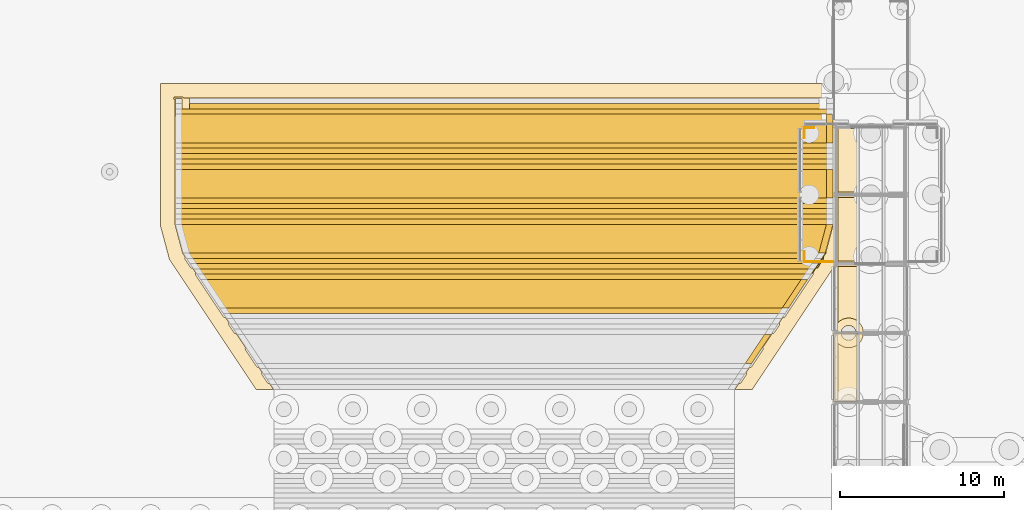
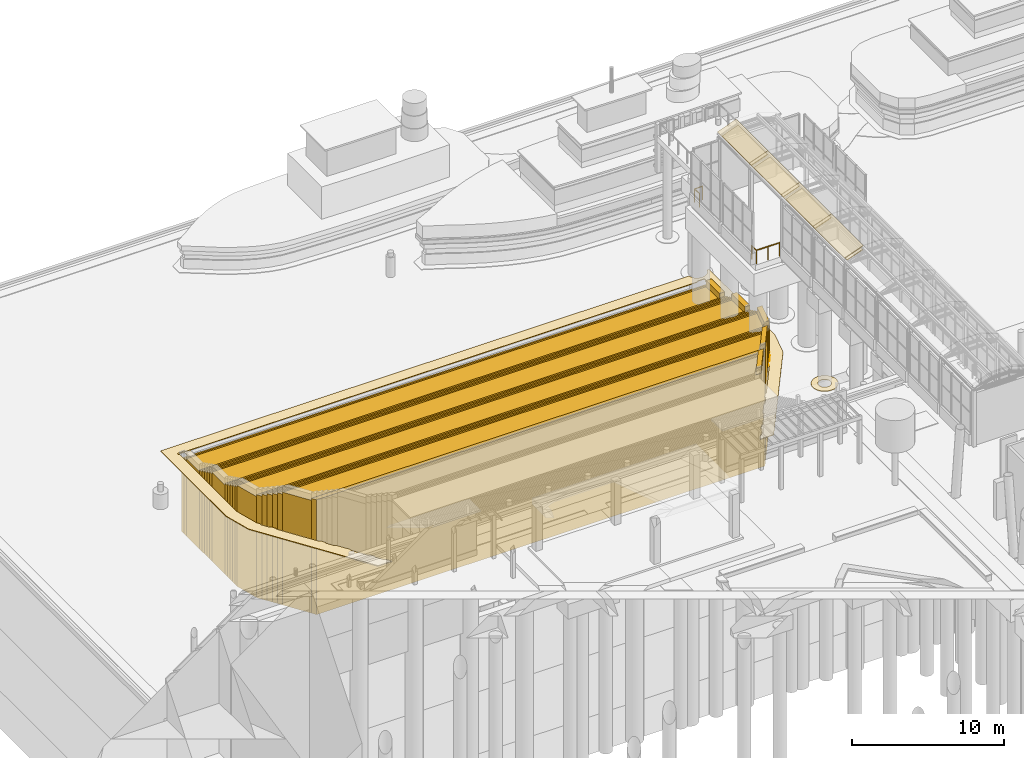
# One storey, part 181 of 222: 39 coverings, 4 railings.
"""IFC4 building model written with IfcOpenShell, lengths in metres."""

import ifcopenshell
import ifcopenshell.guid

model = None  # the IFC model being written
_history = None  # IfcOwnerHistory: only IFC2X3 demands one
_inside = {}  # id of a spatial element -> (the spatial element, [elements in it])
_under = {}  # id of a project, library or spatial element -> (it, [spatial elements below it])
_declared = {}  # id of a project -> (the project, [libraries it declares])
_typed = {}  # id of a type object -> (the type object, [elements of that type])
_made_of = {}  # id of a material, layer set ... -> (it, [elements and type objects made of it])


def new_model(schema):
    """Start an empty IFC model of exactly this schema.

    Asked for "IFC4X3", IfcOpenShell would pick the latest addendum, in which some entities
    have other attributes; the version numbers below select the first issue.
    IFC2X3 requires an IfcOwnerHistory on every rooted entity: one is made here for all.
    """
    global model, _history
    if schema == "IFC4X3":
        model = ifcopenshell.file(schema_version=(4, 3, 0, 0))
    else:
        model = ifcopenshell.file(schema=schema)
    _inside.clear()
    _under.clear()
    _declared.clear()
    _typed.clear()
    _made_of.clear()
    _history = None
    if model.schema == "IFC2X3":
        org = make("IfcOrganization", Name="unknown")
        user = make(
            "IfcPersonAndOrganization",
            ThePerson=make("IfcPerson", FamilyName="unknown"),
            TheOrganization=org,
        )
        app = make(
            "IfcApplication",
            ApplicationDeveloper=org,
            Version="unknown",
            ApplicationFullName="unknown",
            ApplicationIdentifier="unknown",
        )
        _history = make(
            "IfcOwnerHistory",
            OwningUser=user,
            OwningApplication=app,
            ChangeAction="ADDED",
            CreationDate=0,
        )
    return model


def make(cls, **values):
    """One entity of the class cls with the attributes given. An attribute that is None is left unset."""
    return model.create_entity(
        cls, **{name: value for name, value in values.items() if value is not None}
    )


def rooted(cls, **values):
    """An entity with a GlobalId (a new one), such as an element, a storey or a relation."""
    return make(cls, GlobalId=ifcopenshell.guid.new(), OwnerHistory=_history, **values)


def si_unit(unit_type, name, prefix=None):
    """IfcSIUnit, for example si_unit("LENGTHUNIT", "METRE", prefix="MILLI")."""
    return make("IfcSIUnit", UnitType=unit_type, Prefix=prefix, Name=name)


def assignment(units):
    """IfcUnitAssignment: the units of a project."""
    return None if units is None else make("IfcUnitAssignment", Units=units)


def point(xyz):
    """IfcCartesianPoint."""
    return None if xyz is None else make("IfcCartesianPoint", Coordinates=xyz)


def direction(xyz):
    """IfcDirection."""
    return None if xyz is None else make("IfcDirection", DirectionRatios=xyz)


def frame(location, z_axis=None, x_axis=None):
    """IfcAxis2Placement3D, a coordinate frame: its origin and axes. An axis left out is left unset."""
    return make(
        "IfcAxis2Placement3D",
        Location=point(location),
        Axis=direction(z_axis),
        RefDirection=direction(x_axis),
    )


def frame_2d(location, x_axis=None):
    """IfcAxis2Placement2D, a coordinate frame in the plane: its origin and x axis."""
    return make(
        "IfcAxis2Placement2D", Location=point(location), RefDirection=direction(x_axis)
    )


def origin():
    """The frame at (0, 0, 0) with its axes left unset."""
    return frame((0.0, 0.0, 0.0))


def origin_2d():
    """The frame at (0, 0) in the plane with its x axis left unset."""
    return frame_2d((0.0, 0.0))


def place(relative_to, where):
    """IfcLocalPlacement: puts the frame where relative to a parent placement (None: the world)."""
    return make(
        "IfcLocalPlacement", PlacementRelTo=relative_to, RelativePlacement=where
    )


def context(
    kind, dimensions, precision=None, world=None, true_north=None, identifier=None
):
    """IfcGeometricRepresentationContext, for example the 3D "Model" context."""
    return make(
        "IfcGeometricRepresentationContext",
        ContextIdentifier=identifier,
        ContextType=kind,
        CoordinateSpaceDimension=dimensions,
        Precision=precision,
        WorldCoordinateSystem=world,
        TrueNorth=true_north,
    )


def subcontext(parent, identifier, kind, view, scale=None):
    """IfcGeometricRepresentationSubContext, for example "Body" below "Model"."""
    return make(
        "IfcGeometricRepresentationSubContext",
        ContextIdentifier=identifier,
        ContextType=kind,
        ParentContext=parent,
        TargetScale=scale,
        TargetView=view,
    )


def project(units=None, contexts=None):
    """IfcProject with its units and contexts."""
    return rooted(
        "IfcProject",
        Name="project",
        RepresentationContexts=contexts,
        UnitsInContext=assignment(units),
    )


def spatial(cls, under=None, at=None, **own):
    """A site, building, storey or space (cls), placed at a placement, below another one or the project."""
    s = rooted(cls, ObjectPlacement=at, **own)
    if under is not None:
        _under.setdefault(under.id(), (under, []))[1].append(s)
    return s


def polyline(points):
    """IfcPolyline through the points."""
    return make("IfcPolyline", Points=[point(p) for p in points])


def profile(cls, at=None, kind="AREA", **sizes):
    """A parametric profile (cls). Its sizes go by their IFC names, for example OverallWidth=200.0."""
    return make(cls, ProfileType=kind, Position=at, **sizes)


def circle(**sizes):
    """IfcCircleProfileDef."""
    return profile("IfcCircleProfileDef", **sizes)


def outline(outer, holes=None, kind="AREA"):
    """IfcArbitraryClosedProfileDef: a profile drawn as a closed curve; with holes, ...WithVoids."""
    if holes is None:
        return make("IfcArbitraryClosedProfileDef", ProfileType=kind, OuterCurve=outer)
    return make(
        "IfcArbitraryProfileDefWithVoids",
        ProfileType=kind,
        OuterCurve=outer,
        InnerCurves=holes,
    )


def extrude(swept, where, along, depth):
    """IfcExtrudedAreaSolid: the profile swept, set in the frame where, extruded along a direction by depth."""
    return make(
        "IfcExtrudedAreaSolid",
        SweptArea=swept,
        Position=where,
        ExtrudedDirection=direction(along),
        Depth=depth,
    )


def shape(context_of_items, identifier, shape_type, items):
    """IfcShapeRepresentation: the items that make up one representation, for example the "Body"."""
    return make(
        "IfcShapeRepresentation",
        ContextOfItems=context_of_items,
        RepresentationIdentifier=identifier,
        RepresentationType=shape_type,
        Items=items,
    )


def material(Name=None, Category=None):
    """IfcMaterial."""
    return make("IfcMaterial", Name=Name, Category=Category)


def layer(
    of_material, thickness, ventilated=None, Name=None, Category=None, Priority=None
):
    """IfcMaterialLayer: one layer of a wall or slab, of a material (None: an air gap)."""
    return make(
        "IfcMaterialLayer",
        Material=of_material,
        LayerThickness=thickness,
        IsVentilated=ventilated,
        Name=Name,
        Category=Category,
        Priority=Priority,
    )


def layer_set(layers, Name=None):
    """IfcMaterialLayerSet."""
    return make("IfcMaterialLayerSet", MaterialLayers=layers, LayerSetName=Name)


def made_of(thing, what):
    """Note that an element or type object is made of a material, layer set ...; save() writes the relation."""
    if what is not None:
        _made_of.setdefault(what.id(), (what, []))[1].append(thing)
    return thing


def type_object(cls, material=None, **own):
    """A type object (cls), such as IfcWallType, which elements share."""
    return made_of(rooted(cls, **own), material)


def element(
    cls,
    number,
    at=None,
    inside=None,
    cuts=None,
    type_object=None,
    material=None,
    context=None,
    identifier="Body",
    shape_type=None,
    held_by="IfcProductDefinitionShape",
    body=None,
    shapes=None,
    **own,
):
    """One element of the class cls, such as IfcWall. Its Tag is "e" and its number.

    at: its placement. inside: the storey or other place that contains it. cuts: it is an
    opening in that element (IfcRelVoidsElement). A single representation is given by context,
    identifier, shape_type and body (its items); several are given by shapes. held_by: the class
    of the entity that holds the representations. save() writes the other relations.
    """
    e = rooted(cls, Tag="e%d" % number, ObjectPlacement=at, **own)
    if body is not None:
        shapes = [shape(context, identifier, shape_type, body)]
    if shapes is not None:
        e.Representation = make(held_by, Representations=shapes)
    if inside is not None:
        _inside.setdefault(inside.id(), (inside, []))[1].append(e)
    if cuts is not None:
        rooted(
            "IfcRelVoidsElement", RelatingBuildingElement=cuts, RelatedOpeningElement=e
        )
    if type_object is not None:
        _typed.setdefault(type_object.id(), (type_object, []))[1].append(e)
    return made_of(e, material)


def aggregate(whole, parts):
    """IfcRelAggregates: a whole, such as a stair, and the parts it consists of."""
    return rooted("IfcRelAggregates", RelatingObject=whole, RelatedObjects=parts)


def save(model, path):
    """Write the relations noted so far, then the file.

    IfcRelAggregates (storeys below a building ...), IfcRelContainedInSpatialStructure (elements
    in a storey), IfcRelDefinesByType, IfcRelAssociatesMaterial and IfcRelDeclares: one each for
    every whole, place, type object, material and project.
    """
    for whole, parts in _under.values():
        aggregate(whole, parts)
    for where, things in _inside.values():
        rooted(
            "IfcRelContainedInSpatialStructure",
            RelatedElements=things,
            RelatingStructure=where,
        )
    for kind, things in _typed.values():
        rooted("IfcRelDefinesByType", RelatedObjects=things, RelatingType=kind)
    for what, things in _made_of.values():
        rooted("IfcRelAssociatesMaterial", RelatedObjects=things, RelatingMaterial=what)
    for by, libraries in _declared.values():
        rooted("IfcRelDeclares", RelatingContext=by, RelatedDefinitions=libraries)
    model.write(path)


model = new_model("IFC4")

# Units and contexts
model_context = context("Model", 3, precision=1e-05, world=origin(), true_north=direction((0.0, 1.0)))
body_context = subcontext(model_context, "Body", "Model", "MODEL_VIEW")
ifc_project = project(units=[si_unit("LENGTHUNIT", "METRE"), si_unit("AREAUNIT", "SQUARE_METRE"), si_unit("VOLUMEUNIT", "CUBIC_METRE"), si_unit("PLANEANGLEUNIT", "RADIAN"), si_unit("MASSUNIT", "GRAM", prefix="KILO")], contexts=[model_context])

# Site, building, storey
site_placement = place(None, origin())
site = spatial("IfcSite", under=ifc_project, at=site_placement, CompositionType="ELEMENT")
building_placement = place(site_placement, origin())
building = spatial("IfcBuilding", under=site, at=building_placement, Name="Sava Quay Ferry Terminal", CompositionType="ELEMENT")
storey_placement = place(building_placement, origin())
storey = spatial("IfcBuildingStorey", under=building, at=storey_placement, Name="L00", CompositionType="ELEMENT", Elevation=0.0)

# Railings
ifc_material_1 = material(Name="Steel S355", Category="steel")
railing_type = type_object("IfcRailingType", Name="Edge guard 1100", PredefinedType="GUARDRAIL", material=ifc_material_1)
railing_1_placement = place(storey_placement, frame((44.25, 134.52001953125, 0.0)))
element("IfcRailing", 1, at=railing_1_placement, inside=storey, type_object=railing_type, Name="Berth head south guard west", PredefinedType="GUARDRAIL", context=body_context, shape_type="SweptSolid", body=[
    extrude(circle(Radius=0.02392578125, at=origin_2d()), frame((0.0, 0.0, 1.076171875), z_axis=(1.0, 0.0, 0.0), x_axis=(0.0, 1.0, 0.0)), (0.0, 0.0, 1.0), 1.75),
    extrude(circle(Radius=0.02099609375, at=origin_2d()), origin(), (0.0, 0.0, 1.0), 1.052001953125),
    extrude(circle(Radius=0.02099609375, at=origin_2d()), frame((0.875, 0.0, 0.0)), (0.0, 0.0, 1.0), 1.052001953125),
    extrude(circle(Radius=0.02099609375, at=origin_2d()), frame((1.75, 0.0, 0.0)), (0.0, 0.0, 1.0), 1.052001953125),
])
for number, where, name in (
    (2, (44.25, 134.52001953125, 0.0), "Berth head south-west corner guard"),
    (3, (44.25, 142.050048828125, 0.0), "Berth head north-west corner guard"),
):
    element("IfcRailing", number, at=place(storey_placement, frame(where)), inside=storey, type_object=railing_type, Name=name, PredefinedType="GUARDRAIL", context=body_context, shape_type="SweptSolid", body=[
        extrude(circle(Radius=0.02392578125, at=origin_2d()), frame((0.0, 0.0, 1.076171875), z_axis=(0.0, 1.0, 0.0), x_axis=(-1.0, 0.0, 0.0)), (0.0, 0.0, 1.0), 0.6298828125),
        extrude(circle(Radius=0.02099609375, at=origin_2d()), origin(), (0.0, 0.0, 1.0), 1.052001953125),
        extrude(circle(Radius=0.02099609375, at=origin_2d()), frame((0.0, 0.6298828125, 0.0)), (0.0, 0.0, 1.0), 1.052001953125),
    ])
railing_2_placement = place(storey_placement, frame((44.25, 142.679931640625, 0.0)))
element("IfcRailing", 4, at=railing_2_placement, inside=storey, type_object=railing_type, Name="Berth head north-west corner guard", PredefinedType="GUARDRAIL", context=body_context, shape_type="SweptSolid", body=[
    extrude(circle(Radius=0.02392578125, at=origin_2d()), frame((0.0, 0.0, 1.076171875), z_axis=(1.0, 0.0, 0.0), x_axis=(0.0, 1.0, 0.0)), (0.0, 0.0, 1.0), 0.60009765625),
    extrude(circle(Radius=0.02099609375, at=origin_2d()), origin(), (0.0, 0.0, 1.0), 1.052001953125),
    extrude(circle(Radius=0.02099609375, at=origin_2d()), frame((0.60009765625, 0.0, 0.0)), (0.0, 0.0, 1.0), 1.052001953125),
])

# Coverings
ifc_material_2 = material(Name="Glulam GL28h", Category="wood")
ifc_layer_1 = layer(ifc_material_2, 0.06005859375)
ifc_layer_set_1 = layer_set([ifc_layer_1], Name="Glulam GL28h")
covering_type_1 = type_object("IfcCoveringType", Name="Glulam soffit lining 60", PredefinedType="CEILING", material=ifc_layer_set_1)
covering_1_placement = place(storey_placement, frame((46.317138671875, 126.159912109375, 4.645751953125), z_axis=(-0.341968236193, 0.0, 0.939711511814), x_axis=(0.939711511814, 0.0, 0.341968236193)))
element("IfcCovering", 5, at=covering_1_placement, inside=storey, type_object=covering_type_1, Name="Boarding gallery B1 timber soffit lining bay 5 facet 1", PredefinedType="CEILING", context=body_context, shape_type="SweptSolid", body=[
    extrude(outline(polyline([(0.0, 0.0), (1.305773916594794, 0.0), (1.305773916594794, 3.880126953125), (0.0, 3.880126953125), (0.0, 0.0)])), origin(), (0.0, 0.0, -1.0), 0.06005859375),
])
for number, where, z_axis, x_axis, name in (
    (6, (46.317138671875, 130.360107421875, 4.645751953125), (-0.341968236193, 0.0, 0.939711511814), (0.939711511814, 0.0, 0.341968236193), "Boarding gallery B1 timber soffit lining bay 6 facet 1"),
    (7, (46.317138671875, 134.56005859375, 4.645751953125), (-0.341968236193, 0.0, 0.939711511814), (0.939711511814, 0.0, 0.341968236193), "Boarding gallery B1 timber soffit lining bay 7 facet 1"),
    (8, (46.317138671875, 138.760009765625, 4.645751953125), (-0.341968236193, 0.0, 0.939711511814), (0.939711511814, 0.0, 0.341968236193), "Boarding gallery B1 timber soffit lining bay 8 facet 1"),
):
    element("IfcCovering", number, at=place(storey_placement, frame(where, z_axis=z_axis, x_axis=x_axis)), inside=storey, type_object=covering_type_1, Name=name, PredefinedType="CEILING", context=body_context, shape_type="SweptSolid", body=[
        extrude(outline(polyline([(0.0, 0.0), (1.305773916594794, 0.0), (1.305773916594794, 3.8798828125), (0.0, 3.8798828125), (0.0, 0.0)])), origin(), (0.0, 0.0, -1.0), 0.06005859375),
    ])
ifc_material_3 = material(Name="Water")
ifc_layer_2 = layer(ifc_material_3, 0.0400390625)
ifc_layer_set_2 = layer_set([ifc_layer_2], Name="Water")
covering_type_2 = type_object("IfcCoveringType", Name="River foam collar", PredefinedType="CLADDING", material=ifc_layer_set_2)
covering_2_placement = place(storey_placement, frame((0.0, 0.0, -8.0)))
element("IfcCovering", 9, at=covering_2_placement, inside=storey, type_object=covering_type_2, Name="River foam collar", PredefinedType="CLADDING", context=body_context, shape_type="SweptSolid", body=[
    extrude(outline(polyline([(46.199951171875, 129.698974609375), (46.31201171875, 129.56201171875), (46.448974609375, 129.449951171875), (46.60498046875, 129.365966796875), (46.77392578125, 129.31494140625), (46.949951171875, 129.298095703125), (47.1259765625, 129.31494140625), (47.294921875, 129.365966796875), (47.450927734375, 129.449951171875), (47.587890625, 129.56201171875), (47.699951171875, 129.698974609375), (47.783935546875, 129.85498046875), (47.8349609375, 130.02392578125), (47.85205078125, 130.199951171875), (47.8349609375, 130.3759765625), (47.783935546875, 130.544921875), (47.699951171875, 130.700927734375), (47.587890625, 130.837890625), (47.450927734375, 130.949951171875), (47.294921875, 131.033935546875), (47.1259765625, 131.0849609375), (46.949951171875, 131.10205078125), (46.77392578125, 131.0849609375), (46.60498046875, 131.033935546875), (46.448974609375, 130.949951171875), (46.31201171875, 130.837890625), (46.199951171875, 130.700927734375), (46.115966796875, 130.544921875), (46.06494140625, 130.3759765625), (46.048095703125, 130.199951171875), (46.06494140625, 130.02392578125), (46.115966796875, 129.85498046875), (46.199951171875, 129.698974609375)]), holes=[polyline([(46.575927734375, 130.449951171875), (46.632080078125, 130.51806640625), (46.699951171875, 130.573974609375), (46.778076171875, 130.615966796875), (46.862060546875, 130.64111328125), (46.949951171875, 130.64990234375), (47.0380859375, 130.64111328125), (47.1220703125, 130.615966796875), (47.199951171875, 130.573974609375), (47.26806640625, 130.51806640625), (47.323974609375, 130.449951171875), (47.365966796875, 130.3720703125), (47.39111328125, 130.2880859375), (47.39990234375, 130.199951171875), (47.39111328125, 130.112060546875), (47.365966796875, 130.028076171875), (47.323974609375, 129.949951171875), (47.26806640625, 129.882080078125), (47.199951171875, 129.825927734375), (47.1220703125, 129.783935546875), (47.0380859375, 129.759033203125), (46.949951171875, 129.75), (46.862060546875, 129.759033203125), (46.778076171875, 129.783935546875), (46.699951171875, 129.825927734375), (46.632080078125, 129.882080078125), (46.575927734375, 129.949951171875), (46.533935546875, 130.028076171875), (46.509033203125, 130.112060546875), (46.5, 130.199951171875), (46.509033203125, 130.2880859375), (46.533935546875, 130.3720703125), (46.575927734375, 130.449951171875)])]), origin(), (0.0, 0.0, 1.0), 0.0400390625),
])
covering_3_placement = place(storey_placement, frame((0.0, 0.0, -8.0)))
element("IfcCovering", 10, at=covering_3_placement, inside=storey, type_object=covering_type_2, Name="River foam collar", PredefinedType="CLADDING", context=body_context, shape_type="SweptSolid", body=[
    extrude(outline(polyline([(45.0380859375, 134.157958984375), (45.06298828125, 134.173095703125), (45.0830078125, 134.194091796875), (45.407958984375, 134.68310546875), (45.41796875, 134.7109375), (45.419921875, 134.739990234375), (45.412109375, 134.76806640625), (45.403076171875, 134.785888671875), (45.39111328125, 134.800048828125), (45.552001953125, 135.04296875), (45.568115234375, 135.10205078125), (45.556884765625, 135.138916015625), (45.532958984375, 135.050048828125), (44.708984375, 133.81298828125), (44.7548828125, 133.818115234375), (44.764892578125, 133.821044921875), (44.762939453125, 133.825927734375), (44.7509765625, 133.840087890625), (44.9619140625, 134.156982421875), (44.989990234375, 134.14990234375), (45.02001953125, 134.152099609375), (45.0380859375, 134.157958984375)])), origin(), (0.0, 0.0, 1.0), 0.0400390625),
])
covering_4_placement = place(storey_placement, frame((0.0, 0.0, -8.0)))
element("IfcCovering", 11, at=covering_4_placement, inside=storey, type_object=covering_type_2, Name="River foam collar", PredefinedType="CLADDING", context=body_context, shape_type="SweptSolid", body=[
    extrude(outline(polyline([(6.462890625, 144.537109375), (6.43798828125, 144.552001953125), (6.409912109375, 144.56005859375), (6.0, 144.56005859375), (5.970947265625, 144.555908203125), (5.944091796875, 144.54296875), (5.928955078125, 144.531005859375), (5.9169921875, 144.51611328125), (5.904052734375, 144.489013671875), (5.89990234375, 144.4599609375), (5.904052734375, 144.430908203125), (5.912109375, 144.4130859375), (5.923095703125, 144.39697265625), (5.944091796875, 144.376953125), (5.9619140625, 144.367919921875), (5.97998046875, 144.362060546875), (5.97998046875, 143.3701171875), (6.0, 143.3701171875), (6.0, 144.4599609375), (6.39990234375, 144.4599609375), (6.39990234375, 143.820068359375), (6.85009765625, 143.820068359375), (6.85009765625, 144.47998046875), (6.498046875, 144.47998046875), (6.491943359375, 144.498046875), (6.48291015625, 144.51611328125), (6.462890625, 144.537109375)])), origin(), (0.0, 0.0, 1.0), 0.0400390625),
])
ifc_material_4 = material(Name="Zinc standing seam sheet")
ifc_layer_3 = layer(ifc_material_4, 0.0400390625)
ifc_layer_set_3 = layer_set([ifc_layer_3], Name="Zinc standing seam sheet")
covering_type_3 = type_object("IfcCoveringType", Name="Standing seam roofing 40", PredefinedType="ROOFING", material=ifc_layer_set_3)
for number, where, z_axis, x_axis, name in (
    (12, (46.0361328125, 126.010009765625, 4.979736328125), (-0.342089424704, 0.0, 0.939667401534), (0.939667401534, 0.0, 0.342089424704), "Boarding gallery B1 roofing bay 5 facet 1"),
    (13, (46.0361328125, 130.2099609375, 4.979736328125), (-0.342089424704, 0.0, 0.939667401534), (0.939667401534, 0.0, 0.342089424704), "Boarding gallery B1 roofing bay 6 facet 1"),
):
    element("IfcCovering", number, at=place(storey_placement, frame(where, z_axis=z_axis, x_axis=x_axis)), inside=storey, type_object=covering_type_3, Name=name, PredefinedType="ROOFING", context=body_context, shape_type="SweptSolid", body=[
        extrude(outline(polyline([(0.0, 0.0), (1.5279778922638676, 0.0), (1.5279778922638676, 4.179931640625), (0.0, 4.179931640625), (0.0, 0.0)])), origin(), (0.0, 0.0, -1.0), 0.0400390625),
    ])
covering_5_placement = place(storey_placement, frame((46.0361328125, 134.409912109375, 4.979736328125), z_axis=(-0.342089424704, 0.0, 0.939667401534), x_axis=(0.939667401534, 0.0, 0.342089424704)))
element("IfcCovering", 14, at=covering_5_placement, inside=storey, type_object=covering_type_3, Name="Boarding gallery B1 roofing bay 7 facet 1", PredefinedType="ROOFING", context=body_context, shape_type="SweptSolid", body=[
    extrude(outline(polyline([(0.0, 0.0), (1.5279778922638676, 0.0), (1.5279778922638676, 4.18017578125), (0.0, 4.18017578125), (0.0, 0.0)])), origin(), (0.0, 0.0, -1.0), 0.0400390625),
])
covering_6_placement = place(storey_placement, frame((46.0361328125, 138.610107421875, 4.979736328125), z_axis=(-0.342089424704, 0.0, 0.939667401534), x_axis=(0.939667401534, 0.0, 0.342089424704)))
element("IfcCovering", 15, at=covering_6_placement, inside=storey, type_object=covering_type_3, Name="Boarding gallery B1 roofing bay 8 facet 1", PredefinedType="ROOFING", context=body_context, shape_type="SweptSolid", body=[
    extrude(outline(polyline([(0.0, 0.0), (1.5279778922638676, 0.0), (1.5279778922638676, 4.179931640625), (0.0, 4.179931640625), (0.0, 0.0)])), origin(), (0.0, 0.0, -1.0), 0.0400390625),
])
ifc_material_5 = material(Name="Limestone ashlar", Category="masonry")
ifc_layer_4 = layer(ifc_material_5, 0.39990234375)
ifc_layer_set_4 = layer_set([ifc_layer_4], Name="Limestone ashlar")
covering_type_4 = type_object("IfcCoveringType", Name="Wet stair cheek wall 400", PredefinedType="CLADDING", material=ifc_layer_set_4)
covering_7_placement = place(storey_placement, frame((0.0, 0.0, -3.95458984375)))
element("IfcCovering", 16, at=covering_7_placement, inside=storey, type_object=covering_type_4, Name="Wet stair cheek wall", PredefinedType="CLADDING", context=body_context, shape_type="SweptSolid", body=[
    extrude(outline(polyline([(40.6669921875, 128.35009765625), (41.06689453125, 128.35009765625), (42.23291015625, 130.10009765625), (41.8330078125, 130.10009765625), (40.6669921875, 128.35009765625)])), origin(), (0.0, 0.0, 1.0), 0.5),
])
covering_8_placement = place(storey_placement, frame((0.0, 0.0, -4.9091796875)))
element("IfcCovering", 17, at=covering_8_placement, inside=storey, type_object=covering_type_4, Name="Wet stair cheek wall", PredefinedType="CLADDING", context=body_context, shape_type="SweptSolid", body=[
    extrude(outline(polyline([(42.89990234375, 131.699951171875), (43.300048828125, 131.699951171875), (44.467041015625, 133.449951171875), (44.06689453125, 133.449951171875), (42.89990234375, 131.699951171875)])), origin(), (0.0, 0.0, 1.0), 0.5),
])
covering_9_placement = place(storey_placement, frame((0.0, 0.0, -5.863525390625)))
element("IfcCovering", 18, at=covering_9_placement, inside=storey, type_object=covering_type_4, Name="Wet stair cheek wall", PredefinedType="CLADDING", context=body_context, shape_type="SweptSolid", body=[
    extrude(outline(polyline([(45.133056640625, 135.050048828125), (45.532958984375, 135.050048828125), (46.0, 136.800048828125), (45.60009765625, 136.800048828125), (45.133056640625, 135.050048828125)])), origin(), (0.0, 0.0, 1.0), 0.5),
])
covering_10_placement = place(storey_placement, frame((0.0, 0.0, -6.818115234375)))
element("IfcCovering", 19, at=covering_10_placement, inside=storey, type_object=covering_type_4, Name="Wet stair cheek wall", PredefinedType="CLADDING", context=body_context, shape_type="SweptSolid", body=[
    extrude(outline(polyline([(45.60009765625, 138.39990234375), (46.0, 138.39990234375), (46.0, 140.14990234375), (45.60009765625, 140.14990234375), (45.60009765625, 138.39990234375)])), origin(), (0.0, 0.0, 1.0), 0.5),
])
covering_11_placement = place(storey_placement, frame((0.0, 0.0, -7.772705078125)))
element("IfcCovering", 20, at=covering_11_placement, inside=storey, type_object=covering_type_4, Name="Wet stair cheek wall", PredefinedType="CLADDING", context=body_context, shape_type="SweptSolid", body=[
    extrude(outline(polyline([(45.60009765625, 141.75), (46.0, 141.75), (46.0, 143.5), (45.60009765625, 143.5), (45.60009765625, 141.75)])), origin(), (0.0, 0.0, 1.0), 0.5),
])
ifc_material_6 = material(Name="Water")
ifc_layer_5 = layer(ifc_material_6, 0.050048828125)
ifc_layer_set_5 = layer_set([ifc_layer_5], Name="Water")
covering_type_5 = type_object("IfcCoveringType", Name="Wet stair foam line", PredefinedType="CLADDING", material=ifc_layer_set_5)
covering_12_placement = place(storey_placement, frame((0.0, 0.0, -8.0)))
element("IfcCovering", 21, at=covering_12_placement, inside=storey, type_object=covering_type_5, Name="Wet stair foam line", PredefinedType="CLADDING", context=body_context, shape_type="SweptSolid", body=[
    extrude(outline(polyline([(46.364990234375, 134.674072265625), (46.89990234375, 136.681884765625), (46.89990234375, 145.360107421875), (46.736083984375, 145.360107421875), (46.697021484375, 145.23193359375), (46.632080078125, 145.111083984375), (46.544921875, 145.0048828125), (46.43896484375, 144.91796875), (46.318115234375, 144.85302734375), (46.196044921875, 144.81591796875), (46.177001953125, 144.81201171875), (46.050048828125, 144.800048828125), (45.9130859375, 144.81298828125), (45.791015625, 144.85009765625), (45.77294921875, 144.85693359375), (45.669921875, 144.9130859375), (45.653076171875, 144.924072265625), (45.554931640625, 145.0048828125), (45.468017578125, 145.111083984375), (45.403076171875, 145.23193359375), (45.364013671875, 145.360107421875), (5.10009765625, 145.360107421875), (5.10009765625, 136.681884765625), (5.635009765625, 134.674072265625), (10.91796875, 126.75), (11.97607421875, 126.75), (11.718017578125, 127.136962890625), (11.698974609375, 127.132080078125), (11.679931640625, 127.1298828125), (11.65087890625, 127.134033203125), (11.6240234375, 127.14697265625), (11.60888671875, 127.158935546875), (11.596923828125, 127.174072265625), (11.27197265625, 127.6630859375), (11.261962890625, 127.69091796875), (11.260009765625, 127.719970703125), (11.26806640625, 127.748046875), (11.277099609375, 127.76611328125), (11.2890625, 127.780029296875), (11.077880859375, 128.096923828125), (11.050048828125, 128.090087890625), (11.02001953125, 128.092041015625), (11.001953125, 128.097900390625), (10.97705078125, 128.113037109375), (10.95703125, 128.134033203125), (10.85009765625, 128.294921875), (10.261962890625, 129.177978515625), (10.251953125, 129.2060546875), (10.25, 129.235107421875), (10.258056640625, 129.262939453125), (10.26708984375, 129.281005859375), (10.279052734375, 129.294921875), (9.697998046875, 130.1669921875), (9.678955078125, 130.162109375), (9.659912109375, 130.159912109375), (9.631103515625, 130.1640625), (9.60400390625, 130.177001953125), (9.5830078125, 130.197021484375), (9.257080078125, 130.68505859375), (9.248046875, 130.701904296875), (9.241943359375, 130.720947265625), (9.239990234375, 130.75), (9.248046875, 130.778076171875), (9.257080078125, 130.7958984375), (9.26904296875, 130.81005859375), (9.05810546875, 131.126953125), (9.0390625, 131.1220703125), (9.02001953125, 131.1201171875), (8.990966796875, 131.1240234375), (8.964111328125, 131.136962890625), (8.948974609375, 131.14892578125), (8.93701171875, 131.1640625), (7.449951171875, 133.39501953125), (7.23193359375, 133.722900390625), (7.221923828125, 133.7509765625), (7.219970703125, 133.780029296875), (7.22802734375, 133.80810546875), (7.237060546875, 133.825927734375), (7.2490234375, 133.840087890625), (7.0380859375, 134.156982421875), (7.010009765625, 134.14990234375), (6.97998046875, 134.152099609375), (6.9619140625, 134.157958984375), (6.93701171875, 134.173095703125), (6.9169921875, 134.194091796875), (6.81005859375, 134.35498046875), (6.592041015625, 134.68310546875), (6.58203125, 134.7109375), (6.580078125, 134.739990234375), (6.587890625, 134.76806640625), (6.596923828125, 134.785888671875), (6.60888671875, 134.800048828125), (6.449951171875, 135.0390625), (6.447021484375, 135.044921875), (5.97998046875, 136.798095703125), (5.97998046875, 144.362060546875), (5.9619140625, 144.367919921875), (5.944091796875, 144.376953125), (5.923095703125, 144.39697265625), (5.912109375, 144.4130859375), (5.904052734375, 144.430908203125), (5.89990234375, 144.4599609375), (5.904052734375, 144.489013671875), (5.9169921875, 144.51611328125), (5.928955078125, 144.531005859375), (5.944091796875, 144.54296875), (5.970947265625, 144.555908203125), (6.0, 144.56005859375), (6.409912109375, 144.56005859375), (6.43798828125, 144.552001953125), (6.462890625, 144.537109375), (6.48291015625, 144.51611328125), (6.491943359375, 144.498046875), (6.498046875, 144.47998046875), (45.501953125, 144.47998046875), (45.508056640625, 144.498046875), (45.51708984375, 144.51611328125), (45.537109375, 144.537109375), (45.56201171875, 144.552001953125), (45.590087890625, 144.56005859375), (46.0, 144.56005859375), (46.029052734375, 144.555908203125), (46.055908203125, 144.54296875), (46.076904296875, 144.52294921875), (46.087890625, 144.507080078125), (46.095947265625, 144.489013671875), (46.10009765625, 144.4599609375), (46.095947265625, 144.430908203125), (46.087890625, 144.4130859375), (46.076904296875, 144.39697265625), (46.055908203125, 144.376953125), (46.0380859375, 144.367919921875), (46.02001953125, 144.362060546875), (46.02001953125, 136.798095703125), (45.552001953125, 135.04296875), (45.39111328125, 134.800048828125), (45.403076171875, 134.785888671875), (45.412109375, 134.76806640625), (45.419921875, 134.739990234375), (45.41796875, 134.7109375), (45.407958984375, 134.68310546875), (45.18994140625, 134.35498046875), (45.0830078125, 134.194091796875), (45.06298828125, 134.173095703125), (45.0380859375, 134.157958984375), (45.02001953125, 134.152099609375), (44.989990234375, 134.14990234375), (44.9619140625, 134.156982421875), (44.7509765625, 133.840087890625), (44.762939453125, 133.825927734375), (44.77197265625, 133.80810546875), (44.780029296875, 133.780029296875), (44.778076171875, 133.7509765625), (44.77197265625, 133.73193359375), (44.762939453125, 133.715087890625), (43.06298828125, 131.1640625), (43.051025390625, 131.14892578125), (43.035888671875, 131.136962890625), (43.009033203125, 131.1240234375), (42.97998046875, 131.1201171875), (42.9609375, 131.1220703125), (42.94189453125, 131.126953125), (42.73095703125, 130.81005859375), (42.742919921875, 130.7958984375), (42.751953125, 130.778076171875), (42.760009765625, 130.75), (42.758056640625, 130.720947265625), (42.748046875, 130.693115234375), (42.423095703125, 130.2041015625), (42.410888671875, 130.18896484375), (42.39599609375, 130.177001953125), (42.368896484375, 130.1640625), (42.340087890625, 130.159912109375), (42.321044921875, 130.162109375), (42.302001953125, 130.1669921875), (41.720947265625, 129.294921875), (41.73291015625, 129.281005859375), (41.741943359375, 129.262939453125), (41.75, 129.235107421875), (41.748046875, 129.2060546875), (41.738037109375, 129.177978515625), (41.14990234375, 128.294921875), (41.04296875, 128.134033203125), (41.02294921875, 128.113037109375), (40.998046875, 128.097900390625), (40.97998046875, 128.092041015625), (40.949951171875, 128.090087890625), (40.922119140625, 128.096923828125), (40.7109375, 127.780029296875), (40.722900390625, 127.76611328125), (40.73193359375, 127.748046875), (40.739990234375, 127.719970703125), (40.738037109375, 127.69091796875), (40.72802734375, 127.6630859375), (40.510009765625, 127.3349609375), (40.403076171875, 127.174072265625), (40.383056640625, 127.153076171875), (40.366943359375, 127.14208984375), (40.340087890625, 127.132080078125), (40.31005859375, 127.1298828125), (40.281982421875, 127.136962890625), (40.02392578125, 126.75), (41.08203125, 126.75), (46.364990234375, 134.674072265625)])), origin(), (0.0, 0.0, 1.0), 0.050048828125),
])
ifc_material_7 = material(Name="Limestone ashlar", Category="masonry")
ifc_layer_6 = layer(ifc_material_7, 0.159912109375)
ifc_layer_set_6 = layer_set([ifc_layer_6], Name="Limestone ashlar")
covering_type_6 = type_object("IfcCoveringType", Name="Wet stair stone tread", PredefinedType="FLOORING", material=ifc_layer_set_6)
covering_13_placement = place(storey_placement, frame((0.0, 0.0, -14.0)))
element("IfcCovering", 22, at=covering_13_placement, inside=storey, type_object=covering_type_6, Name="Wet stair tread", PredefinedType="FLOORING", context=body_context, shape_type="SweptSolid", body=[
    extrude(outline(polyline([(8.9130859375, 131.3798828125), (43.0869140625, 131.3798828125), (43.300048828125, 131.699951171875), (8.699951171875, 131.699951171875), (8.9130859375, 131.3798828125)])), origin(), (0.0, 0.0, 1.0), 9.25),
])
covering_14_placement = place(storey_placement, frame((0.0, 0.0, -14.0)))
element("IfcCovering", 23, at=covering_14_placement, inside=storey, type_object=covering_type_6, Name="Wet stair tread", PredefinedType="FLOORING", context=body_context, shape_type="SweptSolid", body=[
    extrude(outline(polyline([(8.699951171875, 131.699951171875), (43.300048828125, 131.699951171875), (44.467041015625, 133.449951171875), (7.532958984375, 133.449951171875), (8.699951171875, 131.699951171875)])), origin(), (0.0, 0.0, 1.0), 9.0908203125),
])
covering_15_placement = place(storey_placement, frame((0.0, 0.0, -14.0)))
element("IfcCovering", 24, at=covering_15_placement, inside=storey, type_object=covering_type_6, Name="Wet stair tread", PredefinedType="FLOORING", context=body_context, shape_type="SweptSolid", body=[
    extrude(outline(polyline([(7.532958984375, 133.449951171875), (44.467041015625, 133.449951171875), (44.679931640625, 133.77001953125), (7.320068359375, 133.77001953125), (7.532958984375, 133.449951171875)])), origin(), (0.0, 0.0, 1.0), 8.931884765625),
])
covering_16_placement = place(storey_placement, frame((0.0, 0.0, -14.0)))
element("IfcCovering", 25, at=covering_16_placement, inside=storey, type_object=covering_type_6, Name="Wet stair tread", PredefinedType="FLOORING", context=body_context, shape_type="SweptSolid", body=[
    extrude(outline(polyline([(7.320068359375, 133.77001953125), (44.679931640625, 133.77001953125), (44.89306640625, 134.090087890625), (7.10693359375, 134.090087890625), (7.320068359375, 133.77001953125)])), origin(), (0.0, 0.0, 1.0), 8.772705078125),
])
covering_17_placement = place(storey_placement, frame((0.0, 0.0, -14.0)))
element("IfcCovering", 26, at=covering_17_placement, inside=storey, type_object=covering_type_6, Name="Wet stair tread", PredefinedType="FLOORING", context=body_context, shape_type="SweptSolid", body=[
    extrude(outline(polyline([(7.10693359375, 134.090087890625), (44.89306640625, 134.090087890625), (45.10693359375, 134.409912109375), (6.89306640625, 134.409912109375), (7.10693359375, 134.090087890625)])), origin(), (0.0, 0.0, 1.0), 8.613525390625),
])
covering_18_placement = place(storey_placement, frame((0.0, 0.0, -14.0)))
element("IfcCovering", 27, at=covering_18_placement, inside=storey, type_object=covering_type_6, Name="Wet stair tread", PredefinedType="FLOORING", context=body_context, shape_type="SweptSolid", body=[
    extrude(outline(polyline([(6.89306640625, 134.409912109375), (45.10693359375, 134.409912109375), (45.320068359375, 134.72998046875), (6.679931640625, 134.72998046875), (6.89306640625, 134.409912109375)])), origin(), (0.0, 0.0, 1.0), 8.45458984375),
])
covering_19_placement = place(storey_placement, frame((0.0, 0.0, -14.0)))
element("IfcCovering", 28, at=covering_19_placement, inside=storey, type_object=covering_type_6, Name="Wet stair tread", PredefinedType="FLOORING", context=body_context, shape_type="SweptSolid", body=[
    extrude(outline(polyline([(6.679931640625, 134.72998046875), (45.320068359375, 134.72998046875), (45.532958984375, 135.050048828125), (6.467041015625, 135.050048828125), (6.679931640625, 134.72998046875)])), origin(), (0.0, 0.0, 1.0), 8.29541015625),
])
covering_20_placement = place(storey_placement, frame((0.0, 0.0, -14.0)))
element("IfcCovering", 29, at=covering_20_placement, inside=storey, type_object=covering_type_6, Name="Wet stair tread", PredefinedType="FLOORING", context=body_context, shape_type="SweptSolid", body=[
    extrude(outline(polyline([(6.467041015625, 135.050048828125), (45.532958984375, 135.050048828125), (46.0, 136.800048828125), (6.0, 136.800048828125), (6.467041015625, 135.050048828125)])), origin(), (0.0, 0.0, 1.0), 8.136474609375),
])
covering_21_placement = place(storey_placement, frame((0.0, 0.0, -14.0)))
element("IfcCovering", 30, at=covering_21_placement, inside=storey, type_object=covering_type_6, Name="Wet stair tread", PredefinedType="FLOORING", context=body_context, shape_type="SweptSolid", body=[
    extrude(outline(polyline([(6.0, 136.800048828125), (46.0, 136.800048828125), (46.0, 137.1201171875), (6.0, 137.1201171875), (6.0, 136.800048828125)])), origin(), (0.0, 0.0, 1.0), 7.977294921875),
])
covering_22_placement = place(storey_placement, frame((0.0, 0.0, -14.0)))
element("IfcCovering", 31, at=covering_22_placement, inside=storey, type_object=covering_type_6, Name="Wet stair tread", PredefinedType="FLOORING", context=body_context, shape_type="SweptSolid", body=[
    extrude(outline(polyline([(6.0, 137.1201171875), (46.0, 137.1201171875), (46.0, 137.43994140625), (6.0, 137.43994140625), (6.0, 137.1201171875)])), origin(), (0.0, 0.0, 1.0), 7.818115234375),
])
covering_23_placement = place(storey_placement, frame((0.0, 0.0, -14.0)))
element("IfcCovering", 32, at=covering_23_placement, inside=storey, type_object=covering_type_6, Name="Wet stair tread", PredefinedType="FLOORING", context=body_context, shape_type="SweptSolid", body=[
    extrude(outline(polyline([(6.0, 137.43994140625), (46.0, 137.43994140625), (46.0, 137.760009765625), (6.0, 137.760009765625), (6.0, 137.43994140625)])), origin(), (0.0, 0.0, 1.0), 7.6591796875),
])
covering_24_placement = place(storey_placement, frame((0.0, 0.0, -14.0)))
element("IfcCovering", 33, at=covering_24_placement, inside=storey, type_object=covering_type_6, Name="Wet stair tread", PredefinedType="FLOORING", context=body_context, shape_type="SweptSolid", body=[
    extrude(outline(polyline([(6.0, 137.760009765625), (46.0, 137.760009765625), (46.0, 138.080078125), (6.0, 138.080078125), (6.0, 137.760009765625)])), origin(), (0.0, 0.0, 1.0), 7.5),
])
covering_25_placement = place(storey_placement, frame((0.0, 0.0, -14.0)))
element("IfcCovering", 34, at=covering_25_placement, inside=storey, type_object=covering_type_6, Name="Wet stair tread", PredefinedType="FLOORING", context=body_context, shape_type="SweptSolid", body=[
    extrude(outline(polyline([(6.0, 138.080078125), (46.0, 138.080078125), (46.0, 138.39990234375), (6.0, 138.39990234375), (6.0, 138.080078125)])), origin(), (0.0, 0.0, 1.0), 7.3408203125),
])
covering_26_placement = place(storey_placement, frame((0.0, 0.0, -14.0)))
element("IfcCovering", 35, at=covering_26_placement, inside=storey, type_object=covering_type_6, Name="Wet stair tread", PredefinedType="FLOORING", context=body_context, shape_type="SweptSolid", body=[
    extrude(outline(polyline([(6.0, 138.39990234375), (46.0, 138.39990234375), (46.0, 140.14990234375), (6.0, 140.14990234375), (6.0, 138.39990234375)])), origin(), (0.0, 0.0, 1.0), 7.181884765625),
])
covering_27_placement = place(storey_placement, frame((0.0, 0.0, -14.0)))
element("IfcCovering", 36, at=covering_27_placement, inside=storey, type_object=covering_type_6, Name="Wet stair tread", PredefinedType="FLOORING", context=body_context, shape_type="SweptSolid", body=[
    extrude(outline(polyline([(6.0, 140.14990234375), (46.0, 140.14990234375), (46.0, 140.469970703125), (6.0, 140.469970703125), (6.0, 140.14990234375)])), origin(), (0.0, 0.0, 1.0), 7.022705078125),
])
covering_28_placement = place(storey_placement, frame((0.0, 0.0, -14.0)))
element("IfcCovering", 37, at=covering_28_placement, inside=storey, type_object=covering_type_6, Name="Wet stair tread", PredefinedType="FLOORING", context=body_context, shape_type="SweptSolid", body=[
    extrude(outline(polyline([(6.0, 140.469970703125), (46.0, 140.469970703125), (46.0, 140.7900390625), (6.0, 140.7900390625), (6.0, 140.469970703125)])), origin(), (0.0, 0.0, 1.0), 6.863525390625),
])
covering_29_placement = place(storey_placement, frame((0.0, 0.0, -14.0)))
element("IfcCovering", 38, at=covering_29_placement, inside=storey, type_object=covering_type_6, Name="Wet stair tread", PredefinedType="FLOORING", context=body_context, shape_type="SweptSolid", body=[
    extrude(outline(polyline([(6.0, 140.7900390625), (46.0, 140.7900390625), (46.0, 141.110107421875), (6.0, 141.110107421875), (6.0, 140.7900390625)])), origin(), (0.0, 0.0, 1.0), 6.70458984375),
])
covering_30_placement = place(storey_placement, frame((0.0, 0.0, -14.0)))
element("IfcCovering", 39, at=covering_30_placement, inside=storey, type_object=covering_type_6, Name="Wet stair tread", PredefinedType="FLOORING", context=body_context, shape_type="SweptSolid", body=[
    extrude(outline(polyline([(6.0, 141.110107421875), (46.0, 141.110107421875), (46.0, 141.429931640625), (6.0, 141.429931640625), (6.0, 141.110107421875)])), origin(), (0.0, 0.0, 1.0), 6.54541015625),
])
covering_31_placement = place(storey_placement, frame((0.0, 0.0, -14.0)))
element("IfcCovering", 40, at=covering_31_placement, inside=storey, type_object=covering_type_6, Name="Wet stair tread", PredefinedType="FLOORING", context=body_context, shape_type="SweptSolid", body=[
    extrude(outline(polyline([(6.0, 141.429931640625), (46.0, 141.429931640625), (46.0, 141.75), (6.0, 141.75), (6.0, 141.429931640625)])), origin(), (0.0, 0.0, 1.0), 6.386474609375),
])
covering_32_placement = place(storey_placement, frame((0.0, 0.0, -14.0)))
element("IfcCovering", 41, at=covering_32_placement, inside=storey, type_object=covering_type_6, Name="Wet stair tread", PredefinedType="FLOORING", context=body_context, shape_type="SweptSolid", body=[
    extrude(outline(polyline([(6.0, 141.75), (46.0, 141.75), (46.0, 143.5), (6.0, 143.5), (6.0, 141.75)])), origin(), (0.0, 0.0, 1.0), 6.227294921875),
])
covering_33_placement = place(storey_placement, frame((0.0, 0.0, -14.0)))
element("IfcCovering", 42, at=covering_33_placement, inside=storey, type_object=covering_type_6, Name="Wet stair tread", PredefinedType="FLOORING", context=body_context, shape_type="SweptSolid", body=[
    extrude(outline(polyline([(6.0, 143.5), (46.0, 143.5), (46.0, 143.820068359375), (6.0, 143.820068359375), (6.0, 143.5)])), origin(), (0.0, 0.0, 1.0), 6.068115234375),
])
covering_34_placement = place(storey_placement, frame((0.0, 0.0, -14.0)))
element("IfcCovering", 43, at=covering_34_placement, inside=storey, type_object=covering_type_6, Name="Wet stair tread", PredefinedType="FLOORING", context=body_context, shape_type="SweptSolid", body=[
    extrude(outline(polyline([(6.0, 143.820068359375), (46.0, 143.820068359375), (46.0, 144.139892578125), (6.0, 144.139892578125), (6.0, 143.820068359375)])), origin(), (0.0, 0.0, 1.0), 5.9091796875),
])

save(model, "model.ifc")
